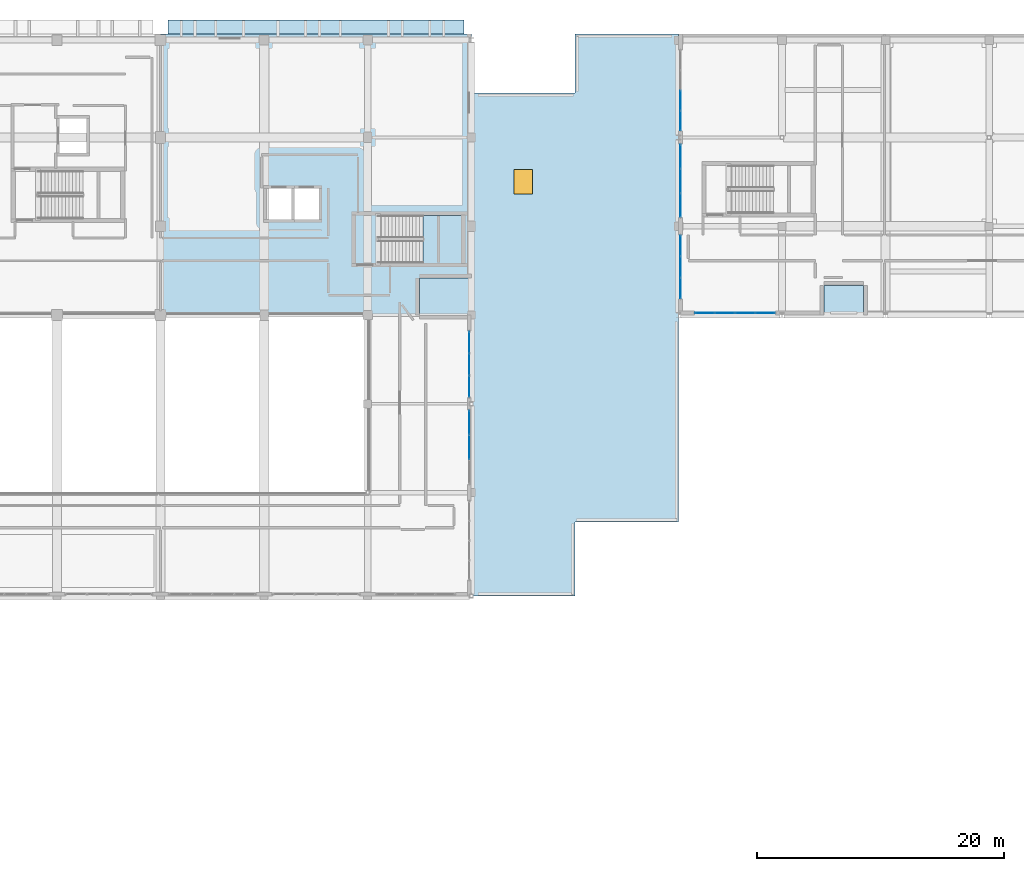
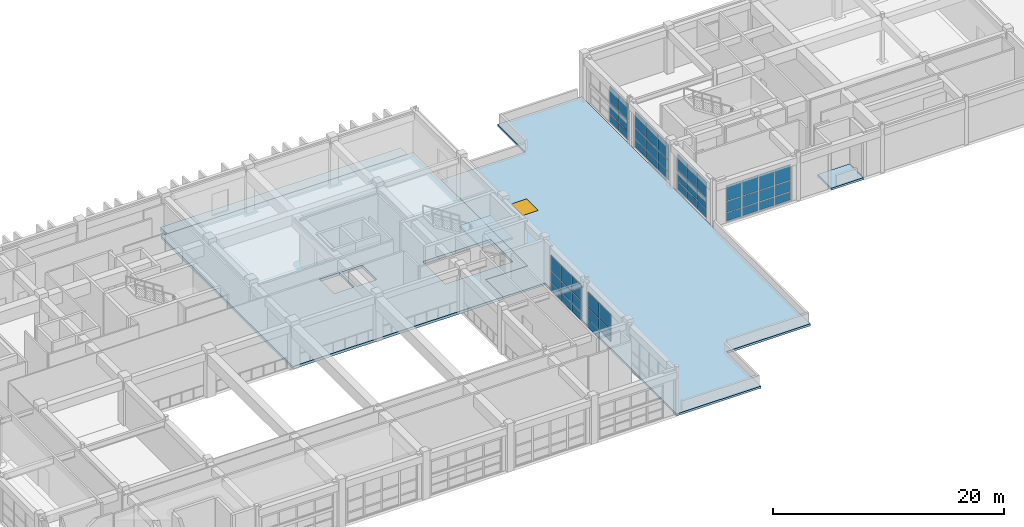
# One storey, part 54 of 78: 50 plates, 5 slabs, 1 window, 1 opening, 7 elements without a shape of their own.
"""IFC4 building model written with IfcOpenShell, lengths in metres."""

from ifc_helpers import new_model, si_unit, direction, frame, origin, origin_2d, place, context, subcontext, project, spatial, polyline, rectangle, outline, extrude, material, layer, layer_set, type_object, element, fill, aggregate, save


model = new_model("IFC4")

# Units and contexts
model_context = context("Model", 3, precision=1e-05, world=origin(), true_north=direction((0.0, 1.0)))
body_context = subcontext(model_context, "Body", "Model", "MODEL_VIEW")
ifc_project = project(units=[si_unit("LENGTHUNIT", "METRE"), si_unit("AREAUNIT", "SQUARE_METRE"), si_unit("VOLUMEUNIT", "CUBIC_METRE"), si_unit("PLANEANGLEUNIT", "RADIAN"), si_unit("MASSUNIT", "GRAM", prefix="KILO")], contexts=[model_context])

# Site, building, storey
site_placement = place(None, origin())
site = spatial("IfcSite", under=ifc_project, at=site_placement, CompositionType="ELEMENT")
building_placement = place(site_placement, origin())
building = spatial("IfcBuilding", under=site, at=building_placement, Name="Quendrovan Civic Courthouse", CompositionType="ELEMENT")
storey_placement = place(building_placement, frame((0.0, 0.0, 10.199951171875)))
storey = spatial("IfcBuildingStorey", under=building, at=storey_placement, Name="L03", CompositionType="ELEMENT", Elevation=10.199951171875)

# Curtain wall, plates
ifc_material_1 = material(Name="Bronze anodised aluminium and low-E glass", Category="aluminium")
ifc_layer_1 = layer(ifc_material_1, 0.179931640625, Name="Bronze anodised aluminium and low-E glass")
ifc_layer_set_1 = layer_set([ifc_layer_1], Name="Bronze anodised aluminium and low-E glass")
curtain_wall_type_1 = type_object("IfcCurtainWallType", Name="CW-U54x39", PredefinedType="USERDEFINED", material=ifc_layer_set_1)
curtain_wall_1_placement = place(storey_placement, origin())
curtain_wall_1 = element("IfcCurtainWall", 1, at=curtain_wall_1_placement, inside=storey, type_object=curtain_wall_type_1, Name="L03 Unitised Hurricane Curtain Wall CW-128", ObjectType="UNITISED CURTAIN WALL", PredefinedType="USERDEFINED")
ifc_material_2 = material(Name="Laminated hurricane-impact low-E glass", Category="glass")
ifc_layer_2 = layer(ifc_material_2, 0.028076171875, Name="Laminated hurricane-impact low-E glass")
ifc_layer_set_2 = layer_set([ifc_layer_2], Name="Laminated hurricane-impact low-E glass")
plate_type_1 = type_object("IfcPlateType", Name="CW-PNL-1", PredefinedType="CURTAIN_PANEL", material=ifc_layer_set_2)
plate_1_placement = place(storey_placement, frame((92.235107421875, 85.382568359375, 0.06982421875), z_axis=(0.0, 0.0, 1.0), x_axis=(0.0, -1.0, 0.0)))
plate_1 = element("IfcPlate", 2, at=plate_1_placement, type_object=plate_type_1, Name="CW-128 panel 1.1", PredefinedType="CURTAIN_PANEL", context=body_context, shape_type="SweptSolid", body=[
    extrude(rectangle(XDim=1.695068359375, YDim=0.028076171875, at=origin_2d()), origin(), (0.0, 0.0, 1.0), 0.844970703125),
])
plate_2_placement = place(storey_placement, frame((92.235107421875, 85.382568359375, 0.985107421875), z_axis=(0.0, 0.0, 1.0), x_axis=(0.0, -1.0, 0.0)))
plate_2 = element("IfcPlate", 3, at=plate_2_placement, type_object=plate_type_1, Name="CW-128 panel 1.2", PredefinedType="CURTAIN_PANEL", context=body_context, shape_type="SweptSolid", body=[
    extrude(rectangle(XDim=1.695068359375, YDim=0.028076171875, at=origin_2d()), origin(), (0.0, 0.0, 1.0), 1.1298828125),
])
plate_3_placement = place(storey_placement, frame((92.235107421875, 85.382568359375, 2.18505859375), z_axis=(0.0, 0.0, 1.0), x_axis=(0.0, -1.0, 0.0)))
plate_3 = element("IfcPlate", 4, at=plate_3_placement, type_object=plate_type_1, Name="CW-128 panel 1.3", PredefinedType="CURTAIN_PANEL", context=body_context, shape_type="SweptSolid", body=[
    extrude(rectangle(XDim=1.695068359375, YDim=0.028076171875, at=origin_2d()), origin(), (0.0, 0.0, 1.0), 1.64501953125),
])
plate_4_placement = place(storey_placement, frame((92.235107421875, 83.60009765625, 0.06982421875), z_axis=(0.0, 0.0, 1.0), x_axis=(0.0, -1.0, 0.0)))
plate_4 = element("IfcPlate", 5, at=plate_4_placement, type_object=plate_type_1, Name="CW-128 panel 2.1", PredefinedType="CURTAIN_PANEL", context=body_context, shape_type="SweptSolid", body=[
    extrude(rectangle(XDim=1.72998046875, YDim=0.028076171875, at=origin_2d()), origin(), (0.0, 0.0, 1.0), 0.844970703125),
])
plate_5_placement = place(storey_placement, frame((92.235107421875, 83.60009765625, 0.985107421875), z_axis=(0.0, 0.0, 1.0), x_axis=(0.0, -1.0, 0.0)))
plate_5 = element("IfcPlate", 6, at=plate_5_placement, type_object=plate_type_1, Name="CW-128 panel 2.2", PredefinedType="CURTAIN_PANEL", context=body_context, shape_type="SweptSolid", body=[
    extrude(rectangle(XDim=1.72998046875, YDim=0.028076171875, at=origin_2d()), origin(), (0.0, 0.0, 1.0), 1.1298828125),
])
plate_6_placement = place(storey_placement, frame((92.235107421875, 83.60009765625, 2.18505859375), z_axis=(0.0, 0.0, 1.0), x_axis=(0.0, -1.0, 0.0)))
plate_6 = element("IfcPlate", 7, at=plate_6_placement, type_object=plate_type_1, Name="CW-128 panel 2.3", PredefinedType="CURTAIN_PANEL", context=body_context, shape_type="SweptSolid", body=[
    extrude(rectangle(XDim=1.72998046875, YDim=0.028076171875, at=origin_2d()), origin(), (0.0, 0.0, 1.0), 1.64501953125),
])
plate_7_placement = place(storey_placement, frame((92.235107421875, 81.8173828125, 0.06982421875), z_axis=(0.0, 0.0, 1.0), x_axis=(0.0, -1.0, 0.0)))
plate_7 = element("IfcPlate", 8, at=plate_7_placement, type_object=plate_type_1, Name="CW-128 panel 3.1", PredefinedType="CURTAIN_PANEL", context=body_context, shape_type="SweptSolid", body=[
    extrude(rectangle(XDim=1.695068359375, YDim=0.028076171875, at=origin_2d()), origin(), (0.0, 0.0, 1.0), 0.844970703125),
])
plate_8_placement = place(storey_placement, frame((92.235107421875, 81.8173828125, 0.985107421875), z_axis=(0.0, 0.0, 1.0), x_axis=(0.0, -1.0, 0.0)))
plate_8 = element("IfcPlate", 9, at=plate_8_placement, type_object=plate_type_1, Name="CW-128 panel 3.2", PredefinedType="CURTAIN_PANEL", context=body_context, shape_type="SweptSolid", body=[
    extrude(rectangle(XDim=1.695068359375, YDim=0.028076171875, at=origin_2d()), origin(), (0.0, 0.0, 1.0), 1.1298828125),
])
plate_9_placement = place(storey_placement, frame((92.235107421875, 81.8173828125, 2.18505859375), z_axis=(0.0, 0.0, 1.0), x_axis=(0.0, -1.0, 0.0)))
plate_9 = element("IfcPlate", 10, at=plate_9_placement, type_object=plate_type_1, Name="CW-128 panel 3.3", PredefinedType="CURTAIN_PANEL", context=body_context, shape_type="SweptSolid", body=[
    extrude(rectangle(XDim=1.695068359375, YDim=0.028076171875, at=origin_2d()), origin(), (0.0, 0.0, 1.0), 1.64501953125),
])
aggregate(curtain_wall_1, [plate_1, plate_2, plate_3, plate_4, plate_5, plate_6, plate_7, plate_8, plate_9])

ifc_layer_3 = layer(ifc_material_1, 0.179931640625, Name="Bronze anodised aluminium and low-E glass")
ifc_layer_set_3 = layer_set([ifc_layer_3], Name="Bronze anodised aluminium and low-E glass")
curtain_wall_type_2 = type_object("IfcCurtainWallType", Name="CW-U66x39", PredefinedType="USERDEFINED", material=ifc_layer_set_3)
curtain_wall_2_placement = place(storey_placement, origin())
curtain_wall_2 = element("IfcCurtainWall", 11, at=curtain_wall_2_placement, inside=storey, type_object=curtain_wall_type_2, Name="L03 Unitised Hurricane Curtain Wall CW-140", ObjectType="UNITISED CURTAIN WALL", PredefinedType="USERDEFINED")
plate_10_placement = place(storey_placement, frame((116.22509765625, 87.764892578125, 0.06982421875), z_axis=(0.0, 0.0, 1.0), x_axis=(-1.0, 0.0, 0.0)))
plate_10 = element("IfcPlate", 12, at=plate_10_placement, type_object=plate_type_1, Name="CW-140 panel 1.1", PredefinedType="CURTAIN_PANEL", context=body_context, shape_type="SweptSolid", body=[
    extrude(rectangle(XDim=1.53564453125, YDim=0.028076171875, at=origin_2d()), origin(), (0.0, 0.0, 1.0), 0.844970703125),
])
plate_11_placement = place(storey_placement, frame((116.22509765625, 87.764892578125, 0.985107421875), z_axis=(0.0, 0.0, 1.0), x_axis=(-1.0, 0.0, 0.0)))
plate_11 = element("IfcPlate", 13, at=plate_11_placement, type_object=plate_type_1, Name="CW-140 panel 1.2", PredefinedType="CURTAIN_PANEL", context=body_context, shape_type="SweptSolid", body=[
    extrude(rectangle(XDim=1.53564453125, YDim=0.028076171875, at=origin_2d()), origin(), (0.0, 0.0, 1.0), 1.1298828125),
])
plate_12_placement = place(storey_placement, frame((116.22509765625, 87.764892578125, 2.18505859375), z_axis=(0.0, 0.0, 1.0), x_axis=(-1.0, 0.0, 0.0)))
plate_12 = element("IfcPlate", 14, at=plate_12_placement, type_object=plate_type_1, Name="CW-140 panel 1.3", PredefinedType="CURTAIN_PANEL", context=body_context, shape_type="SweptSolid", body=[
    extrude(rectangle(XDim=1.53564453125, YDim=0.028076171875, at=origin_2d()), origin(), (0.0, 0.0, 1.0), 1.64501953125),
])
plate_13_placement = place(storey_placement, frame((114.601806640625, 87.764892578125, 0.06982421875), z_axis=(0.0, 0.0, 1.0), x_axis=(-1.0, 0.0, 0.0)))
plate_13 = element("IfcPlate", 15, at=plate_13_placement, type_object=plate_type_1, Name="CW-140 panel 2.1", PredefinedType="CURTAIN_PANEL", context=body_context, shape_type="SweptSolid", body=[
    extrude(rectangle(XDim=1.57080078125, YDim=0.028076171875, at=origin_2d()), origin(), (0.0, 0.0, 1.0), 0.844970703125),
])
plate_14_placement = place(storey_placement, frame((114.601806640625, 87.764892578125, 0.985107421875), z_axis=(0.0, 0.0, 1.0), x_axis=(-1.0, 0.0, 0.0)))
plate_14 = element("IfcPlate", 16, at=plate_14_placement, type_object=plate_type_1, Name="CW-140 panel 2.2", PredefinedType="CURTAIN_PANEL", context=body_context, shape_type="SweptSolid", body=[
    extrude(rectangle(XDim=1.57080078125, YDim=0.028076171875, at=origin_2d()), origin(), (0.0, 0.0, 1.0), 1.1298828125),
])
plate_15_placement = place(storey_placement, frame((114.601806640625, 87.764892578125, 2.18505859375), z_axis=(0.0, 0.0, 1.0), x_axis=(-1.0, 0.0, 0.0)))
plate_15 = element("IfcPlate", 17, at=plate_15_placement, type_object=plate_type_1, Name="CW-140 panel 2.3", PredefinedType="CURTAIN_PANEL", context=body_context, shape_type="SweptSolid", body=[
    extrude(rectangle(XDim=1.57080078125, YDim=0.028076171875, at=origin_2d()), origin(), (0.0, 0.0, 1.0), 1.64501953125),
])
plate_16_placement = place(storey_placement, frame((112.961181640625, 87.764892578125, 0.06982421875), z_axis=(0.0, 0.0, 1.0), x_axis=(-1.0, 0.0, 0.0)))
plate_16 = element("IfcPlate", 18, at=plate_16_placement, type_object=plate_type_1, Name="CW-140 panel 3.1", PredefinedType="CURTAIN_PANEL", context=body_context, shape_type="SweptSolid", body=[
    extrude(rectangle(XDim=1.57080078125, YDim=0.028076171875, at=origin_2d()), origin(), (0.0, 0.0, 1.0), 0.844970703125),
])
plate_17_placement = place(storey_placement, frame((112.961181640625, 87.764892578125, 0.985107421875), z_axis=(0.0, 0.0, 1.0), x_axis=(-1.0, 0.0, 0.0)))
plate_17 = element("IfcPlate", 19, at=plate_17_placement, type_object=plate_type_1, Name="CW-140 panel 3.2", PredefinedType="CURTAIN_PANEL", context=body_context, shape_type="SweptSolid", body=[
    extrude(rectangle(XDim=1.57080078125, YDim=0.028076171875, at=origin_2d()), origin(), (0.0, 0.0, 1.0), 1.1298828125),
])
plate_18_placement = place(storey_placement, frame((112.961181640625, 87.764892578125, 2.18505859375), z_axis=(0.0, 0.0, 1.0), x_axis=(-1.0, 0.0, 0.0)))
plate_18 = element("IfcPlate", 20, at=plate_18_placement, type_object=plate_type_1, Name="CW-140 panel 3.3", PredefinedType="CURTAIN_PANEL", context=body_context, shape_type="SweptSolid", body=[
    extrude(rectangle(XDim=1.57080078125, YDim=0.028076171875, at=origin_2d()), origin(), (0.0, 0.0, 1.0), 1.64501953125),
])
plate_19_placement = place(storey_placement, frame((111.337890625, 87.764892578125, 0.06982421875), z_axis=(0.0, 0.0, 1.0), x_axis=(-1.0, 0.0, 0.0)))
plate_19 = element("IfcPlate", 21, at=plate_19_placement, type_object=plate_type_1, Name="CW-140 panel 4.1", PredefinedType="CURTAIN_PANEL", context=body_context, shape_type="SweptSolid", body=[
    extrude(rectangle(XDim=1.53564453125, YDim=0.028076171875, at=origin_2d()), origin(), (0.0, 0.0, 1.0), 0.844970703125),
])
plate_20_placement = place(storey_placement, frame((111.337890625, 87.764892578125, 0.985107421875), z_axis=(0.0, 0.0, 1.0), x_axis=(-1.0, 0.0, 0.0)))
plate_20 = element("IfcPlate", 22, at=plate_20_placement, type_object=plate_type_1, Name="CW-140 panel 4.2", PredefinedType="CURTAIN_PANEL", context=body_context, shape_type="SweptSolid", body=[
    extrude(rectangle(XDim=1.53564453125, YDim=0.028076171875, at=origin_2d()), origin(), (0.0, 0.0, 1.0), 1.1298828125),
])
plate_21_placement = place(storey_placement, frame((111.337890625, 87.764892578125, 2.18505859375), z_axis=(0.0, 0.0, 1.0), x_axis=(-1.0, 0.0, 0.0)))
plate_21 = element("IfcPlate", 23, at=plate_21_placement, type_object=plate_type_1, Name="CW-140 panel 4.3", PredefinedType="CURTAIN_PANEL", context=body_context, shape_type="SweptSolid", body=[
    extrude(rectangle(XDim=1.53564453125, YDim=0.028076171875, at=origin_2d()), origin(), (0.0, 0.0, 1.0), 1.64501953125),
])
aggregate(curtain_wall_2, [plate_10, plate_11, plate_12, plate_13, plate_14, plate_15, plate_16, plate_17, plate_18, plate_19, plate_20, plate_21])

ifc_layer_4 = layer(ifc_material_1, 0.179931640625, Name="Bronze anodised aluminium and low-E glass")
ifc_layer_set_4 = layer_set([ifc_layer_4], Name="Bronze anodised aluminium and low-E glass")
curtain_wall_type_3 = type_object("IfcCurtainWallType", Name="CW-U60x39", PredefinedType="USERDEFINED", material=ifc_layer_set_4)
curtain_wall_3_placement = place(storey_placement, origin())
curtain_wall_3 = element("IfcCurtainWall", 24, at=curtain_wall_3_placement, inside=storey, type_object=curtain_wall_type_3, Name="L03 Unitised Hurricane Curtain Wall CW-129", ObjectType="UNITISED CURTAIN WALL", PredefinedType="USERDEFINED")
ifc_layer_5 = layer(ifc_material_2, 0.031982421875, Name="Laminated hurricane-impact low-E glass")
ifc_layer_set_5 = layer_set([ifc_layer_5], Name="Laminated hurricane-impact low-E glass")
plate_type_2 = type_object("IfcPlateType", Name="CW-PNL-2", PredefinedType="CURTAIN_PANEL", material=ifc_layer_set_5)
plate_22_placement = place(storey_placement, frame((92.235107421875, 78.879638671875, 0.06494140625), z_axis=(0.0, 0.0, 1.0), x_axis=(0.0, -1.0, 0.0)))
plate_22 = element("IfcPlate", 25, at=plate_22_placement, type_object=plate_type_2, Name="CW-129 panel 1.1", PredefinedType="CURTAIN_PANEL", context=body_context, shape_type="SweptSolid", body=[
    extrude(rectangle(XDim=1.910888671875, YDim=0.031982421875, at=origin_2d()), origin(), (0.0, 0.0, 1.0), 0.8525390625),
])
plate_23_placement = place(storey_placement, frame((92.235107421875, 78.879638671875, 0.982421875), z_axis=(0.0, 0.0, 1.0), x_axis=(0.0, -1.0, 0.0)))
plate_23 = element("IfcPlate", 26, at=plate_23_placement, type_object=plate_type_2, Name="CW-129 panel 1.2", PredefinedType="CURTAIN_PANEL", context=body_context, shape_type="SweptSolid", body=[
    extrude(rectangle(XDim=1.910888671875, YDim=0.031982421875, at=origin_2d()), origin(), (0.0, 0.0, 1.0), 1.135009765625),
])
plate_24_placement = place(storey_placement, frame((92.235107421875, 78.879638671875, 2.1826171875), z_axis=(0.0, 0.0, 1.0), x_axis=(0.0, -1.0, 0.0)))
plate_24 = element("IfcPlate", 27, at=plate_24_placement, type_object=plate_type_2, Name="CW-129 panel 1.3", PredefinedType="CURTAIN_PANEL", context=body_context, shape_type="SweptSolid", body=[
    extrude(rectangle(XDim=1.910888671875, YDim=0.031982421875, at=origin_2d()), origin(), (0.0, 0.0, 1.0), 1.652587890625),
])
plate_25_placement = place(storey_placement, frame((92.235107421875, 76.887451171875, 0.982421875), z_axis=(0.0, 0.0, 1.0), x_axis=(0.0, -1.0, 0.0)))
plate_25 = element("IfcPlate", 28, at=plate_25_placement, type_object=plate_type_2, Name="CW-129 panel 2.2", PredefinedType="CURTAIN_PANEL", context=body_context, shape_type="SweptSolid", body=[
    extrude(rectangle(XDim=1.943359375, YDim=0.031982421875, at=origin_2d()), origin(), (0.0, 0.0, 1.0), 1.135009765625),
])
plate_26_placement = place(storey_placement, frame((92.235107421875, 76.887451171875, 2.1826171875), z_axis=(0.0, 0.0, 1.0), x_axis=(0.0, -1.0, 0.0)))
plate_26 = element("IfcPlate", 29, at=plate_26_placement, type_object=plate_type_2, Name="CW-129 panel 2.3", PredefinedType="CURTAIN_PANEL", context=body_context, shape_type="SweptSolid", body=[
    extrude(rectangle(XDim=1.943359375, YDim=0.031982421875, at=origin_2d()), origin(), (0.0, 0.0, 1.0), 1.652587890625),
])
aggregate(curtain_wall_3, [plate_22, plate_23, plate_24, plate_25, plate_26])

ifc_layer_6 = layer(ifc_material_1, 0.179931640625, Name="Bronze anodised aluminium and low-E glass")
ifc_layer_set_6 = layer_set([ifc_layer_6], Name="Bronze anodised aluminium and low-E glass")
curtain_wall_type_4 = type_object("IfcCurtainWallType", Name="CW-U52x39", PredefinedType="USERDEFINED", material=ifc_layer_set_6)
curtain_wall_4_placement = place(storey_placement, origin())
curtain_wall_4 = element("IfcCurtainWall", 30, at=curtain_wall_4_placement, inside=storey, type_object=curtain_wall_type_4, Name="L03 Unitised Hurricane Curtain Wall CW-141", ObjectType="UNITISED CURTAIN WALL", PredefinedType="USERDEFINED")
plate_27_placement = place(storey_placement, frame((109.364990234375, 89.782958984375, 0.06494140625), z_axis=(0.0, 0.0, 1.0), x_axis=(0.0, 1.0, 0.0)))
plate_27 = element("IfcPlate", 31, at=plate_27_placement, type_object=plate_type_2, Name="CW-141 panel 1.1", PredefinedType="CURTAIN_PANEL", context=body_context, shape_type="SweptSolid", body=[
    extrude(rectangle(XDim=1.6357421875, YDim=0.031982421875, at=origin_2d()), origin(), (0.0, 0.0, 1.0), 0.8525390625),
])
plate_28_placement = place(storey_placement, frame((109.364990234375, 89.782958984375, 0.982421875), z_axis=(0.0, 0.0, 1.0), x_axis=(0.0, 1.0, 0.0)))
plate_28 = element("IfcPlate", 32, at=plate_28_placement, type_object=plate_type_2, Name="CW-141 panel 1.2", PredefinedType="CURTAIN_PANEL", context=body_context, shape_type="SweptSolid", body=[
    extrude(rectangle(XDim=1.6357421875, YDim=0.031982421875, at=origin_2d()), origin(), (0.0, 0.0, 1.0), 1.135009765625),
])
plate_29_placement = place(storey_placement, frame((109.364990234375, 89.782958984375, 2.1826171875), z_axis=(0.0, 0.0, 1.0), x_axis=(0.0, 1.0, 0.0)))
plate_29 = element("IfcPlate", 33, at=plate_29_placement, type_object=plate_type_2, Name="CW-141 panel 1.3", PredefinedType="CURTAIN_PANEL", context=body_context, shape_type="SweptSolid", body=[
    extrude(rectangle(XDim=1.6357421875, YDim=0.031982421875, at=origin_2d()), origin(), (0.0, 0.0, 1.0), 1.652587890625),
])
plate_30_placement = place(storey_placement, frame((109.364990234375, 91.5, 0.06494140625), z_axis=(0.0, 0.0, 1.0), x_axis=(0.0, 1.0, 0.0)))
plate_30 = element("IfcPlate", 34, at=plate_30_placement, type_object=plate_type_2, Name="CW-141 panel 2.1", PredefinedType="CURTAIN_PANEL", context=body_context, shape_type="SweptSolid", body=[
    extrude(rectangle(XDim=1.668212890625, YDim=0.031982421875, at=origin_2d()), origin(), (0.0, 0.0, 1.0), 0.8525390625),
])
plate_31_placement = place(storey_placement, frame((109.364990234375, 91.5, 0.982421875), z_axis=(0.0, 0.0, 1.0), x_axis=(0.0, 1.0, 0.0)))
plate_31 = element("IfcPlate", 35, at=plate_31_placement, type_object=plate_type_2, Name="CW-141 panel 2.2", PredefinedType="CURTAIN_PANEL", context=body_context, shape_type="SweptSolid", body=[
    extrude(rectangle(XDim=1.668212890625, YDim=0.031982421875, at=origin_2d()), origin(), (0.0, 0.0, 1.0), 1.135009765625),
])
plate_32_placement = place(storey_placement, frame((109.364990234375, 91.5, 2.1826171875), z_axis=(0.0, 0.0, 1.0), x_axis=(0.0, 1.0, 0.0)))
plate_32 = element("IfcPlate", 36, at=plate_32_placement, type_object=plate_type_2, Name="CW-141 panel 2.3", PredefinedType="CURTAIN_PANEL", context=body_context, shape_type="SweptSolid", body=[
    extrude(rectangle(XDim=1.668212890625, YDim=0.031982421875, at=origin_2d()), origin(), (0.0, 0.0, 1.0), 1.652587890625),
])
plate_33_placement = place(storey_placement, frame((109.364990234375, 93.217041015625, 0.06494140625), z_axis=(0.0, 0.0, 1.0), x_axis=(0.0, 1.0, 0.0)))
plate_33 = element("IfcPlate", 37, at=plate_33_placement, type_object=plate_type_2, Name="CW-141 panel 3.1", PredefinedType="CURTAIN_PANEL", context=body_context, shape_type="SweptSolid", body=[
    extrude(rectangle(XDim=1.6357421875, YDim=0.031982421875, at=origin_2d()), origin(), (0.0, 0.0, 1.0), 0.8525390625),
])
plate_34_placement = place(storey_placement, frame((109.364990234375, 93.217041015625, 0.982421875), z_axis=(0.0, 0.0, 1.0), x_axis=(0.0, 1.0, 0.0)))
plate_34 = element("IfcPlate", 38, at=plate_34_placement, type_object=plate_type_2, Name="CW-141 panel 3.2", PredefinedType="CURTAIN_PANEL", context=body_context, shape_type="SweptSolid", body=[
    extrude(rectangle(XDim=1.6357421875, YDim=0.031982421875, at=origin_2d()), origin(), (0.0, 0.0, 1.0), 1.135009765625),
])
plate_35_placement = place(storey_placement, frame((109.364990234375, 93.217041015625, 2.1826171875), z_axis=(0.0, 0.0, 1.0), x_axis=(0.0, 1.0, 0.0)))
plate_35 = element("IfcPlate", 39, at=plate_35_placement, type_object=plate_type_2, Name="CW-141 panel 3.3", PredefinedType="CURTAIN_PANEL", context=body_context, shape_type="SweptSolid", body=[
    extrude(rectangle(XDim=1.6357421875, YDim=0.031982421875, at=origin_2d()), origin(), (0.0, 0.0, 1.0), 1.652587890625),
])
aggregate(curtain_wall_4, [plate_27, plate_28, plate_29, plate_30, plate_31, plate_32, plate_33, plate_34, plate_35])

curtain_wall_5_placement = place(storey_placement, origin())
curtain_wall_5 = element("IfcCurtainWall", 40, at=curtain_wall_5_placement, inside=storey, type_object=curtain_wall_type_3, Name="L03 Unitised Hurricane Curtain Wall CW-142", ObjectType="UNITISED CURTAIN WALL", PredefinedType="USERDEFINED")
ifc_layer_7 = layer(ifc_material_2, 0.035888671875, Name="Laminated hurricane-impact low-E glass")
ifc_layer_set_7 = layer_set([ifc_layer_7], Name="Laminated hurricane-impact low-E glass")
plate_type_3 = type_object("IfcPlateType", Name="CW-PNL-3", PredefinedType="CURTAIN_PANEL", material=ifc_layer_set_7)
plate_36_placement = place(storey_placement, frame((109.364990234375, 96.51123046875, 0.06982421875), z_axis=(0.0, 0.0, 1.0), x_axis=(0.0, 1.0, 0.0)))
plate_36 = element("IfcPlate", 41, at=plate_36_placement, type_object=plate_type_3, Name="CW-142 panel 1.1", PredefinedType="CURTAIN_PANEL", context=body_context, shape_type="SweptSolid", body=[
    extrude(rectangle(XDim=1.882568359375, YDim=0.035888671875, at=origin_2d()), origin(), (0.0, 0.0, 1.0), 0.844970703125),
])
plate_37_placement = place(storey_placement, frame((109.364990234375, 96.51123046875, 0.985107421875), z_axis=(0.0, 0.0, 1.0), x_axis=(0.0, 1.0, 0.0)))
plate_37 = element("IfcPlate", 42, at=plate_37_placement, type_object=plate_type_3, Name="CW-142 panel 1.2", PredefinedType="CURTAIN_PANEL", context=body_context, shape_type="SweptSolid", body=[
    extrude(rectangle(XDim=1.882568359375, YDim=0.035888671875, at=origin_2d()), origin(), (0.0, 0.0, 1.0), 1.1298828125),
])
plate_38_placement = place(storey_placement, frame((109.364990234375, 96.51123046875, 2.18505859375), z_axis=(0.0, 0.0, 1.0), x_axis=(0.0, 1.0, 0.0)))
plate_38 = element("IfcPlate", 43, at=plate_38_placement, type_object=plate_type_3, Name="CW-142 panel 1.3", PredefinedType="CURTAIN_PANEL", context=body_context, shape_type="SweptSolid", body=[
    extrude(rectangle(XDim=1.882568359375, YDim=0.035888671875, at=origin_2d()), origin(), (0.0, 0.0, 1.0), 1.64501953125),
])
plate_39_placement = place(storey_placement, frame((109.364990234375, 98.4814453125, 0.06982421875), z_axis=(0.0, 0.0, 1.0), x_axis=(0.0, 1.0, 0.0)))
plate_39 = element("IfcPlate", 44, at=plate_39_placement, type_object=plate_type_3, Name="CW-142 panel 2.1", PredefinedType="CURTAIN_PANEL", context=body_context, shape_type="SweptSolid", body=[
    extrude(rectangle(XDim=1.917724609375, YDim=0.035888671875, at=origin_2d()), origin(), (0.0, 0.0, 1.0), 0.844970703125),
])
plate_40_placement = place(storey_placement, frame((109.364990234375, 98.4814453125, 0.985107421875), z_axis=(0.0, 0.0, 1.0), x_axis=(0.0, 1.0, 0.0)))
plate_40 = element("IfcPlate", 45, at=plate_40_placement, type_object=plate_type_3, Name="CW-142 panel 2.2", PredefinedType="CURTAIN_PANEL", context=body_context, shape_type="SweptSolid", body=[
    extrude(rectangle(XDim=1.917724609375, YDim=0.035888671875, at=origin_2d()), origin(), (0.0, 0.0, 1.0), 1.1298828125),
])
plate_41_placement = place(storey_placement, frame((109.364990234375, 98.4814453125, 2.18505859375), z_axis=(0.0, 0.0, 1.0), x_axis=(0.0, 1.0, 0.0)))
plate_41 = element("IfcPlate", 46, at=plate_41_placement, type_object=plate_type_3, Name="CW-142 panel 2.3", PredefinedType="CURTAIN_PANEL", context=body_context, shape_type="SweptSolid", body=[
    extrude(rectangle(XDim=1.917724609375, YDim=0.035888671875, at=origin_2d()), origin(), (0.0, 0.0, 1.0), 1.64501953125),
])
plate_42_placement = place(storey_placement, frame((109.364990234375, 100.45166015625, 0.06982421875), z_axis=(0.0, 0.0, 1.0), x_axis=(0.0, 1.0, 0.0)))
plate_42 = element("IfcPlate", 47, at=plate_42_placement, type_object=plate_type_3, Name="CW-142 panel 3.1", PredefinedType="CURTAIN_PANEL", context=body_context, shape_type="SweptSolid", body=[
    extrude(rectangle(XDim=1.882568359375, YDim=0.035888671875, at=origin_2d()), origin(), (0.0, 0.0, 1.0), 0.844970703125),
])
plate_43_placement = place(storey_placement, frame((109.364990234375, 100.45166015625, 0.985107421875), z_axis=(0.0, 0.0, 1.0), x_axis=(0.0, 1.0, 0.0)))
plate_43 = element("IfcPlate", 48, at=plate_43_placement, type_object=plate_type_3, Name="CW-142 panel 3.2", PredefinedType="CURTAIN_PANEL", context=body_context, shape_type="SweptSolid", body=[
    extrude(rectangle(XDim=1.882568359375, YDim=0.035888671875, at=origin_2d()), origin(), (0.0, 0.0, 1.0), 1.1298828125),
])
plate_44_placement = place(storey_placement, frame((109.364990234375, 100.45166015625, 2.18505859375), z_axis=(0.0, 0.0, 1.0), x_axis=(0.0, 1.0, 0.0)))
plate_44 = element("IfcPlate", 49, at=plate_44_placement, type_object=plate_type_3, Name="CW-142 panel 3.3", PredefinedType="CURTAIN_PANEL", context=body_context, shape_type="SweptSolid", body=[
    extrude(rectangle(XDim=1.882568359375, YDim=0.035888671875, at=origin_2d()), origin(), (0.0, 0.0, 1.0), 1.64501953125),
])
aggregate(curtain_wall_5, [plate_36, plate_37, plate_38, plate_39, plate_40, plate_41, plate_42, plate_43, plate_44])

curtain_wall_6_placement = place(storey_placement, origin())
curtain_wall_6 = element("IfcCurtainWall", 50, at=curtain_wall_6_placement, inside=storey, type_object=curtain_wall_type_2, Name="L03 Unitised Hurricane Curtain Wall CW-143", ObjectType="UNITISED CURTAIN WALL", PredefinedType="USERDEFINED")
ifc_layer_8 = layer(ifc_material_2, 0.0419921875, Name="Laminated hurricane-impact low-E glass")
ifc_layer_set_8 = layer_set([ifc_layer_8], Name="Laminated hurricane-impact low-E glass")
plate_type_4 = type_object("IfcPlateType", Name="CW-PNL-4", PredefinedType="CURTAIN_PANEL", material=ifc_layer_set_8)
plate_45_placement = place(storey_placement, frame((109.364990234375, 103.37353515625, 0.06494140625), z_axis=(0.0, 0.0, 1.0), x_axis=(0.0, 1.0, 0.0)))
plate_45 = element("IfcPlate", 51, at=plate_45_placement, type_object=plate_type_4, Name="CW-143 panel 1.1", PredefinedType="CURTAIN_PANEL", context=body_context, shape_type="SweptSolid", body=[
    extrude(rectangle(XDim=1.543212890625, YDim=0.0419921875, at=origin_2d()), origin(), (0.0, 0.0, 1.0), 0.8525390625),
])
plate_46_placement = place(storey_placement, frame((109.364990234375, 103.37353515625, 0.982421875), z_axis=(0.0, 0.0, 1.0), x_axis=(0.0, 1.0, 0.0)))
plate_46 = element("IfcPlate", 52, at=plate_46_placement, type_object=plate_type_4, Name="CW-143 panel 1.2", PredefinedType="CURTAIN_PANEL", context=body_context, shape_type="SweptSolid", body=[
    extrude(rectangle(XDim=1.543212890625, YDim=0.0419921875, at=origin_2d()), origin(), (0.0, 0.0, 1.0), 1.135009765625),
])
plate_47_placement = place(storey_placement, frame((109.364990234375, 103.37353515625, 2.1826171875), z_axis=(0.0, 0.0, 1.0), x_axis=(0.0, 1.0, 0.0)))
plate_47 = element("IfcPlate", 53, at=plate_47_placement, type_object=plate_type_4, Name="CW-143 panel 1.3", PredefinedType="CURTAIN_PANEL", context=body_context, shape_type="SweptSolid", body=[
    extrude(rectangle(XDim=1.543212890625, YDim=0.0419921875, at=origin_2d()), origin(), (0.0, 0.0, 1.0), 1.652587890625),
])
plate_48_placement = place(storey_placement, frame((109.364990234375, 104.998046875, 0.06494140625), z_axis=(0.0, 0.0, 1.0), x_axis=(0.0, 1.0, 0.0)))
plate_48 = element("IfcPlate", 54, at=plate_48_placement, type_object=plate_type_4, Name="CW-143 panel 2.1", PredefinedType="CURTAIN_PANEL", context=body_context, shape_type="SweptSolid", body=[
    extrude(rectangle(XDim=1.57568359375, YDim=0.0419921875, at=origin_2d()), origin(), (0.0, 0.0, 1.0), 0.8525390625),
])
plate_49_placement = place(storey_placement, frame((109.364990234375, 104.998046875, 0.982421875), z_axis=(0.0, 0.0, 1.0), x_axis=(0.0, 1.0, 0.0)))
plate_49 = element("IfcPlate", 55, at=plate_49_placement, type_object=plate_type_4, Name="CW-143 panel 2.2", PredefinedType="CURTAIN_PANEL", context=body_context, shape_type="SweptSolid", body=[
    extrude(rectangle(XDim=1.57568359375, YDim=0.0419921875, at=origin_2d()), origin(), (0.0, 0.0, 1.0), 1.135009765625),
])
plate_50_placement = place(storey_placement, frame((109.364990234375, 104.998046875, 2.1826171875), z_axis=(0.0, 0.0, 1.0), x_axis=(0.0, 1.0, 0.0)))
plate_50 = element("IfcPlate", 56, at=plate_50_placement, type_object=plate_type_4, Name="CW-143 panel 2.3", PredefinedType="CURTAIN_PANEL", context=body_context, shape_type="SweptSolid", body=[
    extrude(rectangle(XDim=1.57568359375, YDim=0.0419921875, at=origin_2d()), origin(), (0.0, 0.0, 1.0), 1.652587890625),
])
aggregate(curtain_wall_6, [plate_45, plate_46, plate_47, plate_48, plate_49, plate_50])

# Slabs
ifc_material_3 = material(Name="Precast limestone concrete C45/55", Category="masonry")
ifc_layer_9 = layer(ifc_material_3, 0.419921875, Name="Precast limestone concrete C45/55")
ifc_layer_set_9 = layer_set([ifc_layer_9], Name="Precast limestone concrete C45/55")
slab_type_1 = type_object("IfcSlabType", Name="SLB-LEDGE-420", PredefinedType="FLOOR", material=ifc_layer_set_9)
slab_1_placement = place(storey_placement, frame((0.0, 0.0, -0.419921875)))
element("IfcSlab", 57, at=slab_1_placement, inside=storey, type_object=slab_type_1, Name="L03 Precast Architectural Spandrel Fin Shelf 288-0", PredefinedType="FLOOR", context=body_context, shape_type="SweptSolid", body=[
    extrude(outline(polyline([(67.800048828125, 111.528076171875), (91.800048828125, 111.528076171875), (91.800048828125, 110.3779296875), (67.800048828125, 110.3779296875), (67.800048828125, 111.528076171875)])), origin(), (0.0, 0.0, 1.0), 0.419921875),
])
ifc_material_4 = material(Name="Post-tensioned concrete C50/60", Category="concrete")
ifc_layer_10 = layer(ifc_material_4, 0.280029296875, Name="Post-tensioned concrete C50/60")
ifc_layer_set_10 = layer_set([ifc_layer_10], Name="Post-tensioned concrete C50/60")
slab_type_2 = type_object("IfcSlabType", Name="SLB-PT-280", PredefinedType="FLOOR", material=ifc_layer_set_10)
slab_2_placement = place(storey_placement, frame((0.0, 0.0, -0.280029296875)))
element("IfcSlab", 58, at=slab_2_placement, inside=storey, type_object=slab_type_2, Name="L03 Structural Floor Slab V2E", PredefinedType="FLOOR", context=body_context, shape_type="SweptSolid", body=[
    extrude(outline(polyline([(67.199951171875, 110.39990234375), (92.39990234375, 110.39990234375), (92.39990234375, 90.60009765625), (88.199951171875, 90.60009765625), (88.199951171875, 87.60009765625), (67.199951171875, 87.60009765625), (67.199951171875, 110.39990234375)]), holes=[polyline([(84.85009765625, 91.800048828125), (91.60009765625, 91.800048828125), (91.60009765625, 95.679931640625), (84.85009765625, 95.679931640625), (84.85009765625, 91.800048828125)]), polyline([(75.800048828125, 97.85009765625), (75.800048828125, 95.35009765625), (77.800048828125, 95.35009765625), (77.800048828125, 97.85009765625), (75.800048828125, 97.85009765625)]), polyline([(78.050048828125, 97.85009765625), (78.050048828125, 95.35009765625), (80.050048828125, 95.35009765625), (80.050048828125, 97.85009765625), (78.050048828125, 97.85009765625)])]), origin(), (0.0, 0.0, 1.0), 0.280029296875),
])

# Slab, opening, window
ifc_material_5 = material(Name="Concrete C40/50", Category="concrete")
ifc_layer_11 = layer(ifc_material_5, 0.219970703125, Name="Concrete C40/50")
ifc_layer_set_11 = layer_set([ifc_layer_11], Name="Concrete C40/50")
slab_type_3 = type_object("IfcSlabType", Name="SLB-RC-220", PredefinedType="ROOF", material=ifc_layer_set_11)
slab_3_placement = place(storey_placement, frame((0.0, 0.0, -0.219970703125)))
slab_3 = element("IfcSlab", 59, at=slab_3_placement, inside=storey, type_object=slab_type_3, Name="L03 Step-Back Structural Roof Slab SLB-ROOF-L03-11", PredefinedType="ROOF", context=body_context, shape_type="SweptSolid", body=[
    extrude(outline(polyline([(100.800048828125, 105.60009765625), (100.800048828125, 110.39990234375), (109.199951171875, 110.39990234375), (109.199951171875, 70.800048828125), (100.800048828125, 70.800048828125), (100.800048828125, 64.800048828125), (92.39990234375, 64.800048828125), (92.39990234375, 87.60009765625), (88.199951171875, 87.60009765625), (88.199951171875, 90.60009765625), (92.39990234375, 90.60009765625), (92.39990234375, 105.60009765625), (100.800048828125, 105.60009765625)])), origin(), (0.0, 0.0, 1.0), 0.219970703125),
])
opening_placement = place(slab_3_placement, frame((96.60009765625, 98.39990234375, 0.0)))
opening = element("IfcOpeningElement", 60, at=opening_placement, cuts=slab_3, Name="Opening RH4", PredefinedType="OPENING", context=body_context, shape_type="SweptSolid", body=[
    extrude(rectangle(XDim=1.5, YDim=2.0, at=origin_2d()), frame((0.0, 0.0, -0.010009765625)), (0.0, 0.0, 1.0), 0.239990234375),
])
window_type = type_object("IfcWindowType", Name="WIN-HATCH-4", PartitioningType="SINGLE_PANEL", PredefinedType="SKYLIGHT", material=ifc_material_2)
window_placement = place(opening_placement, frame((0.0, 0.0, 0.169921875)))
window = element("IfcWindow", 61, at=window_placement, inside=storey, type_object=window_type, Name="L03 Smoke-Venting Roof Access Skylight Hatch RH-04", OverallHeight=2.0, OverallWidth=1.5, PartitioningType="SINGLE_PANEL", PredefinedType="SKYLIGHT", context=body_context, shape_type="SweptSolid", body=[
    extrude(rectangle(XDim=1.5, YDim=2.0, at=origin_2d()), origin(), (0.0, 0.0, 1.0), 0.050048828125),
])
fill(opening, window)

# Slab
slab_4_placement = place(storey_placement, frame((0.0, 0.0, -0.219970703125)))
element("IfcSlab", 62, at=slab_4_placement, inside=storey, type_object=slab_type_3, Name="L03 Step-Back Structural Roof Slab SLB-ROOF-L03-12", PredefinedType="ROOF", context=body_context, shape_type="SweptSolid", body=[
    extrude(outline(polyline([(121.0, 87.60009765625), (121.0, 90.0), (124.199951171875, 90.0), (124.199951171875, 87.60009765625), (121.0, 87.60009765625)])), origin(), (0.0, 0.0, 1.0), 0.219970703125),
])

# Stair, slab
stair_type = type_object("IfcStairType", Name="STR-CORE-5100", PredefinedType="HALF_TURN_STAIR", material=ifc_material_5)
stair_placement = place(storey_placement, origin())
stair = element("IfcStair", 63, at=stair_placement, inside=storey, type_object=stair_type, Name="L03 East Court Block Exit Stair 3", PredefinedType="HALF_TURN_STAIR")
ifc_layer_12 = layer(ifc_material_5, 0.199951171875, Name="Concrete C40/50")
ifc_layer_set_12 = layer_set([ifc_layer_12], Name="Concrete C40/50")
slab_type_4 = type_object("IfcSlabType", Name="SLB-STAIR-LND200", PredefinedType="LANDING", material=ifc_layer_set_12)
slab_5_placement = place(storey_placement, frame((0.0, 0.0, 2.35009765625)))
slab_5 = element("IfcSlab", 64, at=slab_5_placement, type_object=slab_type_4, Name="ST3 landing 1", PredefinedType="LANDING", context=body_context, shape_type="SweptSolid", body=[
    extrude(outline(polyline([(88.489990234375, 91.800048828125), (91.60009765625, 91.800048828125), (91.60009765625, 95.679931640625), (88.489990234375, 95.679931640625), (88.489990234375, 91.800048828125)])), origin(), (0.0, 0.0, 1.0), 0.199951171875),
])
aggregate(stair, [slab_5])

save(model, "model.ifc")
